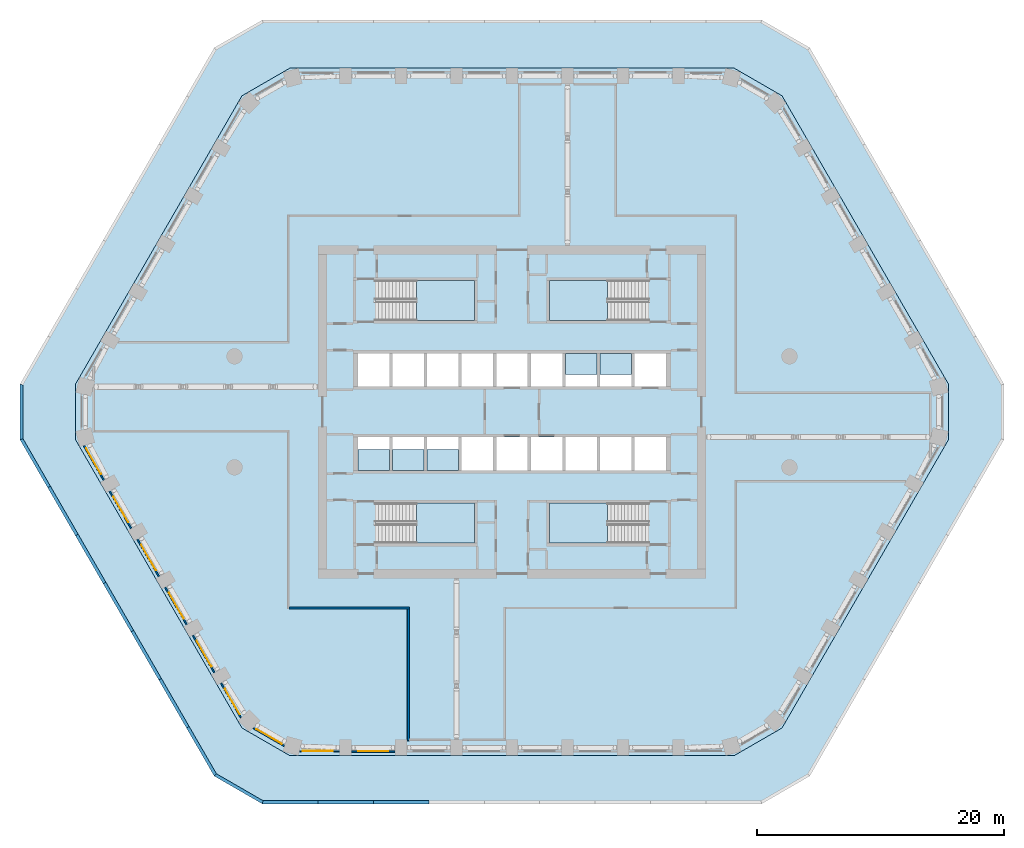
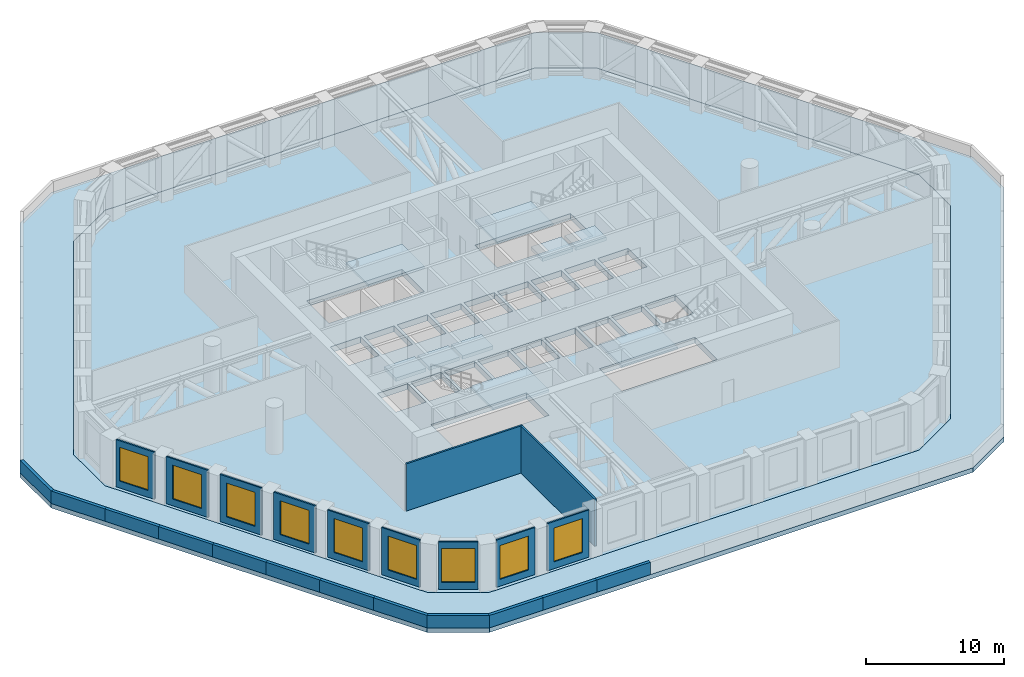
# One storey, part 5 of 18: 23 walls, 11 slabs, 9 windows, 9 openings, 4 elements without a shape of their own.
"""IFC4 building model written with IfcOpenShell, lengths in metres."""

from ifc_helpers import new_model, si_unit, direction, frame, frame_2d, origin, place, context, subcontext, project, spatial, polyline, rectangle, outline, extrude, material, layer, layer_set, type_object, element, fill, aggregate, save


model = new_model("IFC4")

# Units and contexts
model_context = context("Model", 3, precision=1e-05, world=origin(), true_north=direction((0.0, 1.0)))
body_context = subcontext(model_context, "Body", "Model", "MODEL_VIEW")
ifc_project = project(units=[si_unit("LENGTHUNIT", "METRE"), si_unit("AREAUNIT", "SQUARE_METRE"), si_unit("VOLUMEUNIT", "CUBIC_METRE"), si_unit("PLANEANGLEUNIT", "RADIAN"), si_unit("MASSUNIT", "GRAM", prefix="KILO")], contexts=[model_context])

# Site, building, storey
site_placement = place(None, origin())
site = spatial("IfcSite", under=ifc_project, at=site_placement, CompositionType="ELEMENT")
building_placement = place(site_placement, origin())
building = spatial("IfcBuilding", under=site, at=building_placement, Name="Dhurran Vertical Campus", CompositionType="ELEMENT")
storey_placement = place(building_placement, frame((0.0, 0.0, 128.10009765625)))
storey = spatial("IfcBuildingStorey", under=building, at=storey_placement, Name="L31 Plant", CompositionType="ELEMENT", Elevation=128.10009765625)

# Slabs
ifc_material_1 = material(Name="Concrete C40/50", Category="concrete")
ifc_layer_1 = layer(ifc_material_1, 0.52490234375)
ifc_layer_set_1 = layer_set([ifc_layer_1], Name="Concrete C40/50")
slab_type_1 = type_object("IfcSlabType", Name="FR POST-TENSIONED FLAT SLAB 525", PredefinedType="FLOOR", material=ifc_layer_set_1)
slab_1_placement = place(storey_placement, frame((0.0, 0.0, -0.525146484375)))
element("IfcSlab", 1, at=slab_1_placement, inside=storey, type_object=slab_type_1, Name="Floor slab L31", PredefinedType="FLOOR", context=body_context, shape_type="SweptSolid", body=[
    extrude(outline(polyline([(-18.0, -27.8828125), (18.0, -27.8828125), (21.897216796875, -25.6328125), (35.397216796875, -2.25), (35.397216796875, 2.25), (21.897216796875, 25.6328125), (18.0, 27.8828125), (-18.0, 27.8828125), (-21.897216796875, 25.6328125), (-35.397216796875, 2.25), (-35.397216796875, -2.25), (-21.897216796875, -25.6328125), (-18.0, -27.8828125)]), holes=[polyline([(-12.47509765625, 2.050048828125), (-9.925048828125, 2.050048828125), (-9.925048828125, 4.75), (-12.47509765625, 4.75), (-12.47509765625, 2.050048828125)]), polyline([(-9.675048828125, 2.050048828125), (-7.125, 2.050048828125), (-7.125, 4.75), (-9.675048828125, 4.75), (-9.675048828125, 2.050048828125)]), polyline([(-6.875, 2.050048828125), (-4.324951171875, 2.050048828125), (-4.324951171875, 4.75), (-6.875, 4.75), (-6.875, 2.050048828125)]), polyline([(-1.27490234375, 2.050048828125), (1.27490234375, 2.050048828125), (1.27490234375, 4.75), (-1.27490234375, 4.75), (-1.27490234375, 2.050048828125)]), polyline([(9.925048828125, 2.050048828125), (12.47509765625, 2.050048828125), (12.47509765625, 4.75), (9.925048828125, 4.75), (9.925048828125, 2.050048828125)]), polyline([(-1.27490234375, -4.75), (1.27490234375, -4.75), (1.27490234375, -2.050048828125), (-1.27490234375, -2.050048828125), (-1.27490234375, -4.75)]), polyline([(1.52490234375, -4.75), (4.074951171875, -4.75), (4.074951171875, -2.050048828125), (1.52490234375, -2.050048828125), (1.52490234375, -4.75)]), polyline([(4.324951171875, -4.75), (6.875, -4.75), (6.875, -2.050048828125), (4.324951171875, -2.050048828125), (4.324951171875, -4.75)]), polyline([(7.125, -4.75), (9.675048828125, -4.75), (9.675048828125, -2.050048828125), (7.125, -2.050048828125), (7.125, -4.75)]), polyline([(9.925048828125, -4.75), (12.47509765625, -4.75), (12.47509765625, -2.050048828125), (9.925048828125, -2.050048828125), (9.925048828125, -4.75)]), polyline([(-4.074951171875, 2.050048828125), (-1.52490234375, 2.050048828125), (-1.52490234375, 4.75), (-4.074951171875, 4.75), (-4.074951171875, 2.050048828125)]), polyline([(1.52490234375, 2.050048828125), (4.074951171875, 2.050048828125), (4.074951171875, 4.75), (1.52490234375, 4.75), (1.52490234375, 2.050048828125)]), polyline([(4.324951171875, 2.050048828125), (6.875, 2.050048828125), (6.875, 4.75), (4.324951171875, 4.75), (4.324951171875, 2.050048828125)]), polyline([(7.125, 2.050048828125), (9.675048828125, 2.050048828125), (9.675048828125, 4.75), (7.125, 4.75), (7.125, 2.050048828125)]), polyline([(-12.47509765625, -4.75), (-9.925048828125, -4.75), (-9.925048828125, -2.050048828125), (-12.47509765625, -2.050048828125), (-12.47509765625, -4.75)]), polyline([(-9.675048828125, -4.75), (-7.125, -4.75), (-7.125, -2.050048828125), (-9.675048828125, -2.050048828125), (-9.675048828125, -4.75)]), polyline([(-6.875, -4.75), (-4.324951171875, -4.75), (-4.324951171875, -2.050048828125), (-6.875, -2.050048828125), (-6.875, -4.75)]), polyline([(-4.074951171875, -4.75), (-1.52490234375, -4.75), (-1.52490234375, -2.050048828125), (-4.074951171875, -2.050048828125), (-4.074951171875, -4.75)]), polyline([(-11.050048828125, 7.39990234375), (-3.050048828125, 7.39990234375), (-3.050048828125, 10.64990234375), (-11.050048828125, 10.64990234375), (-11.050048828125, 7.39990234375)]), polyline([(3.050048828125, 7.39990234375), (11.050048828125, 7.39990234375), (11.050048828125, 10.64990234375), (3.050048828125, 10.64990234375), (3.050048828125, 7.39990234375)]), polyline([(-11.050048828125, -10.64990234375), (-3.050048828125, -10.64990234375), (-3.050048828125, -7.39990234375), (-11.050048828125, -7.39990234375), (-11.050048828125, -10.64990234375)]), polyline([(3.050048828125, -10.64990234375), (11.050048828125, -10.64990234375), (11.050048828125, -7.39990234375), (3.050048828125, -7.39990234375), (3.050048828125, -10.64990234375)])]), origin(), (0.0, 0.0, 1.0), 0.525146484375),
])
ifc_material_2 = material(Name="Concrete C40/50", Category="concrete")
ifc_layer_2 = layer(ifc_material_2, 0.39990234375)
ifc_layer_set_2 = layer_set([ifc_layer_2], Name="Concrete C40/50")
slab_type_2 = type_object("IfcSlabType", Name="FR ROOF TERRACE SLAB 400", PredefinedType="ROOF", material=ifc_layer_set_2)
slab_2_placement = place(storey_placement, frame((0.0, 0.0, -0.400146484375)))
element("IfcSlab", 2, at=slab_2_placement, inside=storey, type_object=slab_type_2, Name="Setback terrace slab L31", PredefinedType="ROOF", context=body_context, shape_type="SweptSolid", body=[
    extrude(outline(polyline([(-20.25, -31.77978515625), (20.25, -31.77978515625), (24.147216796875, -29.52978515625), (39.897216796875, -2.25), (39.897216796875, 2.25), (24.147216796875, 29.52978515625), (20.25, 31.77978515625), (-20.25, 31.77978515625), (-24.147216796875, 29.52978515625), (-39.897216796875, 2.25), (-39.897216796875, -2.25), (-24.147216796875, -29.52978515625), (-20.25, -31.77978515625)]), holes=[polyline([(-18.0, -27.8828125), (18.0, -27.8828125), (21.897216796875, -25.6328125), (35.397216796875, -2.25), (35.397216796875, 2.25), (21.897216796875, 25.6328125), (18.0, 27.8828125), (-18.0, 27.8828125), (-21.897216796875, 25.6328125), (-35.397216796875, 2.25), (-35.397216796875, -2.25), (-21.897216796875, -25.6328125), (-18.0, -27.8828125)])]), origin(), (0.0, 0.0, 1.0), 0.400146484375),
])
ifc_material_3 = material(Name="Concrete C40/50", Category="concrete")
ifc_layer_3 = layer(ifc_material_3, 0.300048828125)
ifc_layer_set_3 = layer_set([ifc_layer_3], Name="Concrete C40/50")
slab_type_3 = type_object("IfcSlabType", Name="co-PIT-SLAB-300", PredefinedType="FLOOR", material=ifc_layer_set_3)
slab_3_placement = place(storey_placement, frame((0.0, 0.0, 2.699951171875)))
element("IfcSlab", 3, at=slab_3_placement, inside=storey, type_object=slab_type_3, Name="Lift pit slab MR1", PredefinedType="FLOOR", context=body_context, shape_type="SweptSolid", body=[
    extrude(outline(polyline([(4.324951171875, 3.050048828125), (6.875, 3.050048828125), (6.875, 4.75), (4.324951171875, 4.75), (4.324951171875, 3.050048828125)])), origin(), (0.0, 0.0, 1.0), 0.300048828125),
])
slab_4_placement = place(storey_placement, frame((0.0, 0.0, 2.699951171875)))
element("IfcSlab", 4, at=slab_4_placement, inside=storey, type_object=slab_type_3, Name="Lift pit slab MR2", PredefinedType="FLOOR", context=body_context, shape_type="SweptSolid", body=[
    extrude(outline(polyline([(7.125, 3.050048828125), (9.675048828125, 3.050048828125), (9.675048828125, 4.75), (7.125, 4.75), (7.125, 3.050048828125)])), origin(), (0.0, 0.0, 1.0), 0.300048828125),
])
slab_5_placement = place(storey_placement, frame((0.0, 0.0, 2.699951171875)))
element("IfcSlab", 5, at=slab_5_placement, inside=storey, type_object=slab_type_3, Name="Lift pit slab MR3", PredefinedType="FLOOR", context=body_context, shape_type="SweptSolid", body=[
    extrude(outline(polyline([(-12.47509765625, -4.75), (-9.925048828125, -4.75), (-9.925048828125, -3.050048828125), (-12.47509765625, -3.050048828125), (-12.47509765625, -4.75)])), origin(), (0.0, 0.0, 1.0), 0.300048828125),
])
slab_6_placement = place(storey_placement, frame((0.0, 0.0, 2.699951171875)))
element("IfcSlab", 6, at=slab_6_placement, inside=storey, type_object=slab_type_3, Name="Lift pit slab MR4", PredefinedType="FLOOR", context=body_context, shape_type="SweptSolid", body=[
    extrude(outline(polyline([(-9.675048828125, -4.75), (-7.125, -4.75), (-7.125, -3.050048828125), (-9.675048828125, -3.050048828125), (-9.675048828125, -4.75)])), origin(), (0.0, 0.0, 1.0), 0.300048828125),
])
slab_7_placement = place(storey_placement, frame((0.0, 0.0, 2.699951171875)))
element("IfcSlab", 7, at=slab_7_placement, inside=storey, type_object=slab_type_3, Name="Lift pit slab MR5", PredefinedType="FLOOR", context=body_context, shape_type="SweptSolid", body=[
    extrude(outline(polyline([(-6.875, -4.75), (-4.324951171875, -4.75), (-4.324951171875, -3.050048828125), (-6.875, -3.050048828125), (-6.875, -4.75)])), origin(), (0.0, 0.0, 1.0), 0.300048828125),
])

# Stair, slab
ifc_material_4 = material(Name="Concrete C40/50", Category="concrete")
stair_type = type_object("IfcStairType", Name="co-ST-CORE", PredefinedType="HALF_TURN_STAIR", material=ifc_material_4)
stair_1_placement = place(storey_placement, origin())
stair_1 = element("IfcStair", 8, at=stair_1_placement, inside=storey, type_object=stair_type, Name="L31 Plant Protected exit stair ST1", PredefinedType="HALF_TURN_STAIR")
ifc_material_5 = material(Name="Concrete C40/50", Category="concrete")
ifc_layer_4 = layer(ifc_material_5, 0.199951171875)
ifc_layer_set_4 = layer_set([ifc_layer_4], Name="Concrete C40/50")
slab_type_4 = type_object("IfcSlabType", Name="co-SL-LANDING", PredefinedType="LANDING", material=ifc_layer_set_4)
slab_8_placement = place(storey_placement, frame((0.0, 0.0, 2.0498046875)))
slab_8 = element("IfcSlab", 9, at=slab_8_placement, type_object=slab_type_4, Name="ST1 landing 1", PredefinedType="LANDING", context=body_context, shape_type="SweptSolid", body=[
    extrude(outline(polyline([(-7.739990234375, 7.39990234375), (-3.050048828125, 7.39990234375), (-3.050048828125, 10.64990234375), (-7.739990234375, 10.64990234375), (-7.739990234375, 7.39990234375)])), origin(), (0.0, 0.0, 1.0), 0.2001953125),
])
aggregate(stair_1, [slab_8])

stair_2_placement = place(storey_placement, origin())
stair_2 = element("IfcStair", 10, at=stair_2_placement, inside=storey, type_object=stair_type, Name="L31 Plant Protected exit stair ST2", PredefinedType="HALF_TURN_STAIR")
slab_9_placement = place(storey_placement, frame((0.0, 0.0, 2.0498046875)))
slab_9 = element("IfcSlab", 11, at=slab_9_placement, type_object=slab_type_4, Name="ST2 landing 1", PredefinedType="LANDING", context=body_context, shape_type="SweptSolid", body=[
    extrude(outline(polyline([(7.739990234375, 10.64990234375), (3.050048828125, 10.64990234375), (3.050048828125, 7.39990234375), (7.739990234375, 7.39990234375), (7.739990234375, 10.64990234375)])), origin(), (0.0, 0.0, 1.0), 0.2001953125),
])
aggregate(stair_2, [slab_9])

stair_3_placement = place(storey_placement, origin())
stair_3 = element("IfcStair", 12, at=stair_3_placement, inside=storey, type_object=stair_type, Name="L31 Plant Protected exit stair ST3", PredefinedType="HALF_TURN_STAIR")
slab_10_placement = place(storey_placement, frame((0.0, 0.0, 2.0498046875)))
slab_10 = element("IfcSlab", 13, at=slab_10_placement, type_object=slab_type_4, Name="ST3 landing 1", PredefinedType="LANDING", context=body_context, shape_type="SweptSolid", body=[
    extrude(outline(polyline([(-7.739990234375, -10.64990234375), (-3.050048828125, -10.64990234375), (-3.050048828125, -7.39990234375), (-7.739990234375, -7.39990234375), (-7.739990234375, -10.64990234375)])), origin(), (0.0, 0.0, 1.0), 0.2001953125),
])
aggregate(stair_3, [slab_10])

stair_4_placement = place(storey_placement, origin())
stair_4 = element("IfcStair", 14, at=stair_4_placement, inside=storey, type_object=stair_type, Name="L31 Plant Protected exit stair ST4", PredefinedType="HALF_TURN_STAIR")
slab_11_placement = place(storey_placement, frame((0.0, 0.0, 2.0498046875)))
slab_11 = element("IfcSlab", 15, at=slab_11_placement, type_object=slab_type_4, Name="ST4 landing 1", PredefinedType="LANDING", context=body_context, shape_type="SweptSolid", body=[
    extrude(outline(polyline([(7.739990234375, -7.39990234375), (3.050048828125, -7.39990234375), (3.050048828125, -10.64990234375), (7.739990234375, -10.64990234375), (7.739990234375, -7.39990234375)])), origin(), (0.0, 0.0, 1.0), 0.2001953125),
])
aggregate(stair_4, [slab_11])

# Wall, opening, window
ifc_material_6 = material(Name="Precast concrete C50/60", Category="concrete")
ifc_layer_5 = layer(ifc_material_6, 0.1201171875)
ifc_layer_set_5 = layer_set([ifc_layer_5], Name="Precast concrete C50/60")
wall_type_1 = type_object("IfcWallType", Name="Precast louvre-bay panel 120", PredefinedType="SOLIDWALL", material=ifc_layer_set_5)
wall_1_placement = place(storey_placement, frame((-17.218505859375, -27.538818359375, 0.0), z_axis=(0.0, 0.0, 1.0), x_axis=(1.0, 0.0, 0.0)))
wall_1 = element("IfcWall", 16, at=wall_1_placement, inside=storey, type_object=wall_type_1, Name="EW4 L31.00", PredefinedType="SOLIDWALL", context=body_context, shape_type="SweptSolid", body=[
    extrude(rectangle(XDim=3.218017578125, YDim=0.1201171875, at=frame_2d((1.60888671875, 0.0))), origin(), (0.0, 0.0, 1.0), 4.1748046875),
])
opening_1_placement = place(wall_1_placement, frame((0.2685546875, 0.0, 0.60009765625)))
opening_1 = element("IfcOpeningElement", 17, at=opening_1_placement, cuts=wall_1, Name="Opening WT4", PredefinedType="OPENING", context=body_context, shape_type="SweptSolid", body=[
    extrude(rectangle(XDim=2.39990234375, YDim=3.0, at=frame_2d((1.199951171875, 1.5))), frame((0.0, 0.070068359375, 0.0), z_axis=(0.0, -1.0, 0.0), x_axis=(1.0, 0.0, 0.0)), (0.0, 0.0, 1.0), 0.14013671875),
])
ifc_material_7 = material(Name="Aluminium louvre", Category="aluminium")
window_type = type_object("IfcWindowType", Name="Louvred plant vent 2400 x 3000", PartitioningType="SINGLE_PANEL", PredefinedType="WINDOW", material=ifc_material_7)
window_1_placement = place(opening_1_placement, origin())
window_1 = element("IfcWindow", 18, at=window_1_placement, inside=storey, type_object=window_type, Name="WT4 L31.00", OverallHeight=3.0, OverallWidth=2.39990234375, PartitioningType="SINGLE_PANEL", PredefinedType="WINDOW", context=body_context, shape_type="SweptSolid", body=[
    extrude(rectangle(XDim=2.39990234375, YDim=3.0, at=frame_2d((1.199951171875, 1.5))), frame((0.0, 0.06005859375, 0.0), z_axis=(0.0, -1.0, 0.0), x_axis=(1.0, 0.0, 0.0)), (0.0, 0.0, 1.0), 0.02001953125),
])
fill(opening_1, window_1)

wall_2_placement = place(storey_placement, frame((-12.99951171875, -27.577880859375, 0.0), z_axis=(0.0, 0.0, 1.0), x_axis=(1.0, 0.0, 0.0)))
wall_2 = element("IfcWall", 19, at=wall_2_placement, inside=storey, type_object=wall_type_1, Name="EW4 L31.01", PredefinedType="SOLIDWALL", context=body_context, shape_type="SweptSolid", body=[
    extrude(rectangle(XDim=3.4990234375, YDim=0.1201171875, at=frame_2d((1.74951171875, 0.0))), origin(), (0.0, 0.0, 1.0), 4.1748046875),
])
opening_2_placement = place(wall_2_placement, frame((0.549560546875, 0.0, 0.60009765625)))
opening_2 = element("IfcOpeningElement", 20, at=opening_2_placement, cuts=wall_2, Name="Opening WT4", PredefinedType="OPENING", context=body_context, shape_type="SweptSolid", body=[
    extrude(rectangle(XDim=2.39990234375, YDim=3.0, at=frame_2d((1.199951171875, 1.5))), frame((0.0, 0.070068359375, 0.0), z_axis=(0.0, -1.0, 0.0), x_axis=(1.0, 0.0, 0.0)), (0.0, 0.0, 1.0), 0.14013671875),
])
window_2_placement = place(opening_2_placement, origin())
window_2 = element("IfcWindow", 21, at=window_2_placement, inside=storey, type_object=window_type, Name="WT4 L31.01", OverallHeight=3.0, OverallWidth=2.39990234375, PartitioningType="SINGLE_PANEL", PredefinedType="WINDOW", context=body_context, shape_type="SweptSolid", body=[
    extrude(rectangle(XDim=2.39990234375, YDim=3.0, at=frame_2d((1.199951171875, 1.5))), frame((0.0, 0.06005859375, 0.0), z_axis=(0.0, -1.0, 0.0), x_axis=(1.0, 0.0, 0.0)), (0.0, 0.0, 1.0), 0.02001953125),
])
fill(opening_2, window_2)

wall_3_placement = place(storey_placement, frame((-34.70849609375, -2.7548828125, 0.0), z_axis=(0.0, 0.0, 1.0), x_axis=(0.499974205047, -0.866040295995, 0.0)))
wall_3 = element("IfcWall", 22, at=wall_3_placement, inside=storey, type_object=wall_type_1, Name="EW4 L31.39", PredefinedType="SOLIDWALL", context=body_context, shape_type="SweptSolid", body=[
    extrude(rectangle(XDim=3.218017578125, YDim=0.1201171875, at=frame_2d((1.60888671875, 0.0))), origin(), (0.0, 0.0, 1.0), 4.1748046875),
])
opening_3_placement = place(wall_3_placement, frame((0.2685546875, 0.0, 0.60009765625)))
opening_3 = element("IfcOpeningElement", 23, at=opening_3_placement, cuts=wall_3, Name="Opening WT4", PredefinedType="OPENING", context=body_context, shape_type="SweptSolid", body=[
    extrude(rectangle(XDim=2.39990234375, YDim=3.0, at=frame_2d((1.199951171875, 1.5))), frame((0.0, 0.070068359375, 0.0), z_axis=(0.0, -1.0, 0.0), x_axis=(1.0, 0.0, 0.0)), (0.0, 0.0, 1.0), 0.14013671875),
])
window_3_placement = place(opening_3_placement, origin())
window_3 = element("IfcWindow", 24, at=window_3_placement, inside=storey, type_object=window_type, Name="WT4 L31.39", OverallHeight=3.0, OverallWidth=2.39990234375, PartitioningType="SINGLE_PANEL", PredefinedType="WINDOW", context=body_context, shape_type="SweptSolid", body=[
    extrude(rectangle(XDim=2.39990234375, YDim=3.0, at=frame_2d((1.199951171875, 1.5))), frame((0.0, 0.06005859375, 0.0), z_axis=(0.0, -1.0, 0.0), x_axis=(1.0, 0.0, 0.0)), (0.0, 0.0, 1.0), 0.02001953125),
])
fill(opening_3, window_3)

wall_4_placement = place(storey_placement, frame((-32.6328125, -6.42822265625, 0.0), z_axis=(0.0, 0.0, 1.0), x_axis=(0.499996256241, -0.866027565234, 0.0)))
wall_4 = element("IfcWall", 25, at=wall_4_placement, inside=storey, type_object=wall_type_1, Name="EW4 L31.40", PredefinedType="SOLIDWALL", context=body_context, shape_type="SweptSolid", body=[
    extrude(rectangle(XDim=3.4990234375, YDim=0.1201171875, at=frame_2d((1.74951171875, 0.0))), origin(), (0.0, 0.0, 1.0), 4.1748046875),
])
opening_4_placement = place(wall_4_placement, frame((0.549560546875, 0.0, 0.60009765625)))
opening_4 = element("IfcOpeningElement", 26, at=opening_4_placement, cuts=wall_4, Name="Opening WT4", PredefinedType="OPENING", context=body_context, shape_type="SweptSolid", body=[
    extrude(rectangle(XDim=2.39990234375, YDim=3.0, at=frame_2d((1.199951171875, 1.5))), frame((0.0, 0.070068359375, 0.0), z_axis=(0.0, -1.0, 0.0), x_axis=(1.0, 0.0, 0.0)), (0.0, 0.0, 1.0), 0.14013671875),
])
window_4_placement = place(opening_4_placement, origin())
window_4 = element("IfcWindow", 27, at=window_4_placement, inside=storey, type_object=window_type, Name="WT4 L31.40", OverallHeight=3.0, OverallWidth=2.39990234375, PartitioningType="SINGLE_PANEL", PredefinedType="WINDOW", context=body_context, shape_type="SweptSolid", body=[
    extrude(rectangle(XDim=2.39990234375, YDim=3.0, at=frame_2d((1.199951171875, 1.5))), frame((0.0, 0.06005859375, 0.0), z_axis=(0.0, -1.0, 0.0), x_axis=(1.0, 0.0, 0.0)), (0.0, 0.0, 1.0), 0.02001953125),
])
fill(opening_4, window_4)

wall_5_placement = place(storey_placement, frame((-30.3828125, -10.3251953125, 0.0), z_axis=(0.0, 0.0, 1.0), x_axis=(0.499996256241, -0.866027565234, 0.0)))
wall_5 = element("IfcWall", 28, at=wall_5_placement, inside=storey, type_object=wall_type_1, Name="EW4 L31.41", PredefinedType="SOLIDWALL", context=body_context, shape_type="SweptSolid", body=[
    extrude(rectangle(XDim=3.4990234375, YDim=0.1201171875, at=frame_2d((1.74951171875, 0.0))), origin(), (0.0, 0.0, 1.0), 4.1748046875),
])
opening_5_placement = place(wall_5_placement, frame((0.549560546875, 0.0, 0.60009765625)))
opening_5 = element("IfcOpeningElement", 29, at=opening_5_placement, cuts=wall_5, Name="Opening WT4", PredefinedType="OPENING", context=body_context, shape_type="SweptSolid", body=[
    extrude(rectangle(XDim=2.39990234375, YDim=3.0, at=frame_2d((1.199951171875, 1.5))), frame((0.0, 0.070068359375, 0.0), z_axis=(0.0, -1.0, 0.0), x_axis=(1.0, 0.0, 0.0)), (0.0, 0.0, 1.0), 0.14013671875),
])
window_5_placement = place(opening_5_placement, origin())
window_5 = element("IfcWindow", 30, at=window_5_placement, inside=storey, type_object=window_type, Name="WT4 L31.41", OverallHeight=3.0, OverallWidth=2.39990234375, PartitioningType="SINGLE_PANEL", PredefinedType="WINDOW", context=body_context, shape_type="SweptSolid", body=[
    extrude(rectangle(XDim=2.39990234375, YDim=3.0, at=frame_2d((1.199951171875, 1.5))), frame((0.0, 0.06005859375, 0.0), z_axis=(0.0, -1.0, 0.0), x_axis=(1.0, 0.0, 0.0)), (0.0, 0.0, 1.0), 0.02001953125),
])
fill(opening_5, window_5)

wall_6_placement = place(storey_placement, frame((-28.1328125, -14.222412109375, 0.0), z_axis=(0.0, 0.0, 1.0), x_axis=(0.499996256241, -0.866027565234, 0.0)))
wall_6 = element("IfcWall", 31, at=wall_6_placement, inside=storey, type_object=wall_type_1, Name="EW4 L31.42", PredefinedType="SOLIDWALL", context=body_context, shape_type="SweptSolid", body=[
    extrude(rectangle(XDim=3.4990234375, YDim=0.1201171875, at=frame_2d((1.74951171875, 0.0))), origin(), (0.0, 0.0, 1.0), 4.1748046875),
])
opening_6_placement = place(wall_6_placement, frame((0.549560546875, 0.0, 0.60009765625)))
opening_6 = element("IfcOpeningElement", 32, at=opening_6_placement, cuts=wall_6, Name="Opening WT4", PredefinedType="OPENING", context=body_context, shape_type="SweptSolid", body=[
    extrude(rectangle(XDim=2.39990234375, YDim=3.0, at=frame_2d((1.199951171875, 1.5))), frame((0.0, 0.070068359375, 0.0), z_axis=(0.0, -1.0, 0.0), x_axis=(1.0, 0.0, 0.0)), (0.0, 0.0, 1.0), 0.14013671875),
])
window_6_placement = place(opening_6_placement, origin())
window_6 = element("IfcWindow", 33, at=window_6_placement, inside=storey, type_object=window_type, Name="WT4 L31.42", OverallHeight=3.0, OverallWidth=2.39990234375, PartitioningType="SINGLE_PANEL", PredefinedType="WINDOW", context=body_context, shape_type="SweptSolid", body=[
    extrude(rectangle(XDim=2.39990234375, YDim=3.0, at=frame_2d((1.199951171875, 1.5))), frame((0.0, 0.06005859375, 0.0), z_axis=(0.0, -1.0, 0.0), x_axis=(1.0, 0.0, 0.0)), (0.0, 0.0, 1.0), 0.02001953125),
])
fill(opening_6, window_6)

wall_7_placement = place(storey_placement, frame((-25.8828125, -18.119384765625, 0.0), z_axis=(0.0, 0.0, 1.0), x_axis=(0.499996256241, -0.866027565234, 0.0)))
wall_7 = element("IfcWall", 34, at=wall_7_placement, inside=storey, type_object=wall_type_1, Name="EW4 L31.43", PredefinedType="SOLIDWALL", context=body_context, shape_type="SweptSolid", body=[
    extrude(rectangle(XDim=3.4990234375, YDim=0.1201171875, at=frame_2d((1.74951171875, 0.0))), origin(), (0.0, 0.0, 1.0), 4.1748046875),
])
opening_7_placement = place(wall_7_placement, frame((0.549560546875, 0.0, 0.60009765625)))
opening_7 = element("IfcOpeningElement", 35, at=opening_7_placement, cuts=wall_7, Name="Opening WT4", PredefinedType="OPENING", context=body_context, shape_type="SweptSolid", body=[
    extrude(rectangle(XDim=2.39990234375, YDim=3.0, at=frame_2d((1.199951171875, 1.5))), frame((0.0, 0.070068359375, 0.0), z_axis=(0.0, -1.0, 0.0), x_axis=(1.0, 0.0, 0.0)), (0.0, 0.0, 1.0), 0.14013671875),
])
window_7_placement = place(opening_7_placement, origin())
window_7 = element("IfcWindow", 36, at=window_7_placement, inside=storey, type_object=window_type, Name="WT4 L31.43", OverallHeight=3.0, OverallWidth=2.39990234375, PartitioningType="SINGLE_PANEL", PredefinedType="WINDOW", context=body_context, shape_type="SweptSolid", body=[
    extrude(rectangle(XDim=2.39990234375, YDim=3.0, at=frame_2d((1.199951171875, 1.5))), frame((0.0, 0.06005859375, 0.0), z_axis=(0.0, -1.0, 0.0), x_axis=(1.0, 0.0, 0.0)), (0.0, 0.0, 1.0), 0.02001953125),
])
fill(opening_7, window_7)

wall_8_placement = place(storey_placement, frame((-23.59912109375, -21.9970703125, 0.0), z_axis=(0.0, 0.0, 1.0), x_axis=(0.500031105231, -0.866007444426, 0.0)))
wall_8 = element("IfcWall", 37, at=wall_8_placement, inside=storey, type_object=wall_type_1, Name="EW4 L31.44", PredefinedType="SOLIDWALL", context=body_context, shape_type="SweptSolid", body=[
    extrude(rectangle(XDim=3.218017578125, YDim=0.1201171875, at=frame_2d((1.60888671875, 0.0))), origin(), (0.0, 0.0, 1.0), 4.1748046875),
])
opening_8_placement = place(wall_8_placement, frame((0.549560546875, 0.0, 0.60009765625)))
opening_8 = element("IfcOpeningElement", 38, at=opening_8_placement, cuts=wall_8, Name="Opening WT4", PredefinedType="OPENING", context=body_context, shape_type="SweptSolid", body=[
    extrude(rectangle(XDim=2.39990234375, YDim=3.0, at=frame_2d((1.199951171875, 1.5))), frame((0.0, 0.070068359375, 0.0), z_axis=(0.0, -1.0, 0.0), x_axis=(1.0, 0.0, 0.0)), (0.0, 0.0, 1.0), 0.14013671875),
])
window_8_placement = place(opening_8_placement, origin())
window_8 = element("IfcWindow", 39, at=window_8_placement, inside=storey, type_object=window_type, Name="WT4 L31.44", OverallHeight=3.0, OverallWidth=2.39990234375, PartitioningType="SINGLE_PANEL", PredefinedType="WINDOW", context=body_context, shape_type="SweptSolid", body=[
    extrude(rectangle(XDim=2.39990234375, YDim=3.0, at=frame_2d((1.199951171875, 1.5))), frame((0.0, 0.06005859375, 0.0), z_axis=(0.0, -1.0, 0.0), x_axis=(1.0, 0.0, 0.0)), (0.0, 0.0, 1.0), 0.02001953125),
])
fill(opening_8, window_8)

wall_9_placement = place(storey_placement, frame((-20.97021484375, -25.647216796875, 0.0), z_axis=(0.0, 0.0, 1.0), x_axis=(0.866033125095, -0.499986626058, 0.0)))
wall_9 = element("IfcWall", 40, at=wall_9_placement, inside=storey, type_object=wall_type_1, Name="EW4 L31.45", PredefinedType="SOLIDWALL", context=body_context, shape_type="SweptSolid", body=[
    extrude(rectangle(XDim=2.8798828125, YDim=0.1201171875, at=frame_2d((1.43994140625, 0.0))), origin(), (0.0, 0.0, 1.0), 4.1748046875),
])
opening_9_placement = place(wall_9_placement, frame((0.239990234375, 0.0, 0.60009765625)))
opening_9 = element("IfcOpeningElement", 41, at=opening_9_placement, cuts=wall_9, Name="Opening WT4", PredefinedType="OPENING", context=body_context, shape_type="SweptSolid", body=[
    extrude(rectangle(XDim=2.39990234375, YDim=3.0, at=frame_2d((1.199951171875, 1.5))), frame((0.0, 0.070068359375, 0.0), z_axis=(0.0, -1.0, 0.0), x_axis=(1.0, 0.0, 0.0)), (0.0, 0.0, 1.0), 0.14013671875),
])
window_9_placement = place(opening_9_placement, origin())
window_9 = element("IfcWindow", 42, at=window_9_placement, inside=storey, type_object=window_type, Name="WT4 L31.45", OverallHeight=3.0, OverallWidth=2.39990234375, PartitioningType="SINGLE_PANEL", PredefinedType="WINDOW", context=body_context, shape_type="SweptSolid", body=[
    extrude(rectangle(XDim=2.39990234375, YDim=3.0, at=frame_2d((1.199951171875, 1.5))), frame((0.0, 0.06005859375, 0.0), z_axis=(0.0, -1.0, 0.0), x_axis=(1.0, 0.0, 0.0)), (0.0, 0.0, 1.0), 0.02001953125),
])
fill(opening_9, window_9)

# Walls
ifc_material_8 = material(Name="Precast concrete C50/60", Category="concrete")
ifc_layer_6 = layer(ifc_material_8, 0.25)
ifc_layer_set_6 = layer_set([ifc_layer_6], Name="Precast concrete C50/60")
wall_type_2 = type_object("IfcWallType", Name="Precast parapet 250", PredefinedType="PARAPET", material=ifc_layer_set_6)
wall_10_placement = place(storey_placement, origin())
element("IfcWall", 43, at=wall_10_placement, inside=storey, type_object=wall_type_2, Name="PW1 L31.00", PredefinedType="PARAPET", context=body_context, shape_type="SweptSolid", body=[
    extrude(outline(polyline([(-20.25, -31.77978515625), (-15.75, -31.77978515625), (-15.75, -31.52978515625), (-20.18310546875, -31.52978515625), (-20.25, -31.77978515625)])), origin(), (0.0, 0.0, 1.0), 1.099853515625),
])
wall_11_placement = place(storey_placement, origin())
element("IfcWall", 44, at=wall_11_placement, inside=storey, type_object=wall_type_2, Name="PW1 L31.01", PredefinedType="PARAPET", context=body_context, shape_type="SweptSolid", body=[
    extrude(outline(polyline([(-15.75, -31.77978515625), (-11.25, -31.77978515625), (-11.25, -31.52978515625), (-15.75, -31.52978515625), (-15.75, -31.77978515625)])), origin(), (0.0, 0.0, 1.0), 1.099853515625),
])
wall_12_placement = place(storey_placement, origin())
element("IfcWall", 45, at=wall_12_placement, inside=storey, type_object=wall_type_2, Name="PW1 L31.02", PredefinedType="PARAPET", context=body_context, shape_type="SweptSolid", body=[
    extrude(outline(polyline([(-11.25, -31.77978515625), (-6.75, -31.77978515625), (-6.75, -31.52978515625), (-11.25, -31.52978515625), (-11.25, -31.77978515625)])), origin(), (0.0, 0.0, 1.0), 1.099853515625),
])
wall_13_placement = place(storey_placement, origin())
element("IfcWall", 46, at=wall_13_placement, inside=storey, type_object=wall_type_2, Name="PW1 L31.43", PredefinedType="PARAPET", context=body_context, shape_type="SweptSolid", body=[
    extrude(outline(polyline([(-39.897216796875, 2.25), (-39.897216796875, -2.25), (-39.647216796875, -2.18310546875), (-39.647216796875, 2.18310546875), (-39.897216796875, 2.25)])), origin(), (0.0, 0.0, 1.0), 1.099853515625),
])
wall_14_placement = place(storey_placement, origin())
element("IfcWall", 47, at=wall_14_placement, inside=storey, type_object=wall_type_2, Name="PW1 L31.44", PredefinedType="PARAPET", context=body_context, shape_type="SweptSolid", body=[
    extrude(outline(polyline([(-39.897216796875, -2.25), (-37.647216796875, -6.147216796875), (-37.4306640625, -6.022216796875), (-39.647216796875, -2.18310546875), (-39.897216796875, -2.25)])), origin(), (0.0, 0.0, 1.0), 1.099853515625),
])
wall_15_placement = place(storey_placement, origin())
element("IfcWall", 48, at=wall_15_placement, inside=storey, type_object=wall_type_2, Name="PW1 L31.45", PredefinedType="PARAPET", context=body_context, shape_type="SweptSolid", body=[
    extrude(outline(polyline([(-37.647216796875, -6.147216796875), (-35.397216796875, -10.044189453125), (-35.1806640625, -9.919189453125), (-37.4306640625, -6.022216796875), (-37.647216796875, -6.147216796875)])), origin(), (0.0, 0.0, 1.0), 1.099853515625),
])
wall_16_placement = place(storey_placement, origin())
element("IfcWall", 49, at=wall_16_placement, inside=storey, type_object=wall_type_2, Name="PW1 L31.46", PredefinedType="PARAPET", context=body_context, shape_type="SweptSolid", body=[
    extrude(outline(polyline([(-35.397216796875, -10.044189453125), (-33.147216796875, -13.94140625), (-32.9306640625, -13.81640625), (-35.1806640625, -9.919189453125), (-35.397216796875, -10.044189453125)])), origin(), (0.0, 0.0, 1.0), 1.099853515625),
])
wall_17_placement = place(storey_placement, origin())
element("IfcWall", 50, at=wall_17_placement, inside=storey, type_object=wall_type_2, Name="PW1 L31.47", PredefinedType="PARAPET", context=body_context, shape_type="SweptSolid", body=[
    extrude(outline(polyline([(-33.147216796875, -13.94140625), (-30.897216796875, -17.83837890625), (-30.6806640625, -17.71337890625), (-32.9306640625, -13.81640625), (-33.147216796875, -13.94140625)])), origin(), (0.0, 0.0, 1.0), 1.099853515625),
])
wall_18_placement = place(storey_placement, origin())
element("IfcWall", 51, at=wall_18_placement, inside=storey, type_object=wall_type_2, Name="PW1 L31.48", PredefinedType="PARAPET", context=body_context, shape_type="SweptSolid", body=[
    extrude(outline(polyline([(-30.897216796875, -17.83837890625), (-28.647216796875, -21.735595703125), (-28.4306640625, -21.610595703125), (-30.6806640625, -17.71337890625), (-30.897216796875, -17.83837890625)])), origin(), (0.0, 0.0, 1.0), 1.099853515625),
])
wall_19_placement = place(storey_placement, origin())
element("IfcWall", 52, at=wall_19_placement, inside=storey, type_object=wall_type_2, Name="PW1 L31.49", PredefinedType="PARAPET", context=body_context, shape_type="SweptSolid", body=[
    extrude(outline(polyline([(-28.647216796875, -21.735595703125), (-26.397216796875, -25.6328125), (-26.1806640625, -25.5078125), (-28.4306640625, -21.610595703125), (-28.647216796875, -21.735595703125)])), origin(), (0.0, 0.0, 1.0), 1.099853515625),
])
wall_20_placement = place(storey_placement, origin())
element("IfcWall", 53, at=wall_20_placement, inside=storey, type_object=wall_type_2, Name="PW1 L31.50", PredefinedType="PARAPET", context=body_context, shape_type="SweptSolid", body=[
    extrude(outline(polyline([(-26.397216796875, -25.6328125), (-24.147216796875, -29.52978515625), (-23.964111328125, -29.3466796875), (-26.1806640625, -25.5078125), (-26.397216796875, -25.6328125)])), origin(), (0.0, 0.0, 1.0), 1.099853515625),
])
wall_21_placement = place(storey_placement, origin())
element("IfcWall", 54, at=wall_21_placement, inside=storey, type_object=wall_type_2, Name="PW1 L31.51", PredefinedType="PARAPET", context=body_context, shape_type="SweptSolid", body=[
    extrude(outline(polyline([(-24.147216796875, -29.52978515625), (-20.25, -31.77978515625), (-20.18310546875, -31.52978515625), (-23.964111328125, -29.3466796875), (-24.147216796875, -29.52978515625)])), origin(), (0.0, 0.0, 1.0), 1.099853515625),
])
ifc_material_9 = material(Name="Gypsum board corridor wall on steel studs", Category="steel")
ifc_layer_7 = layer(ifc_material_9, 0.14990234375)
ifc_layer_set_7 = layer_set([ifc_layer_7], Name="Gypsum board corridor wall on steel studs")
wall_type_3 = type_object("IfcWallType", Name="fl-CW-150 corridor wall", PredefinedType="PARTITIONING", material=ifc_layer_set_7)
wall_22_placement = place(storey_placement, frame((-18.074951171875, -15.89990234375, 0.0), z_axis=(0.0, 0.0, 1.0), x_axis=(1.0, 0.0, 0.0)))
element("IfcWall", 55, at=wall_22_placement, inside=storey, type_object=wall_type_3, Name="Partition 31-06", PredefinedType="PARTITIONING", context=body_context, shape_type="SweptSolid", body=[
    extrude(rectangle(XDim=9.75, YDim=0.14990234375, at=frame_2d((4.875, 0.0))), origin(), (0.0, 0.0, 1.0), 4.1748046875),
])
wall_23_placement = place(storey_placement, frame((-8.39990234375, -26.657958984375, 0.0), z_axis=(0.0, 0.0, 1.0), x_axis=(0.0, 1.0, 0.0)))
element("IfcWall", 56, at=wall_23_placement, inside=storey, type_object=wall_type_3, Name="Partition 31-09", PredefinedType="PARTITIONING", context=body_context, shape_type="SweptSolid", body=[
    extrude(rectangle(XDim=10.682861328125, YDim=0.14990234375, at=frame_2d((5.34130859375, 0.0))), origin(), (0.0, 0.0, 1.0), 4.1748046875),
])

save(model, "model.ifc")
